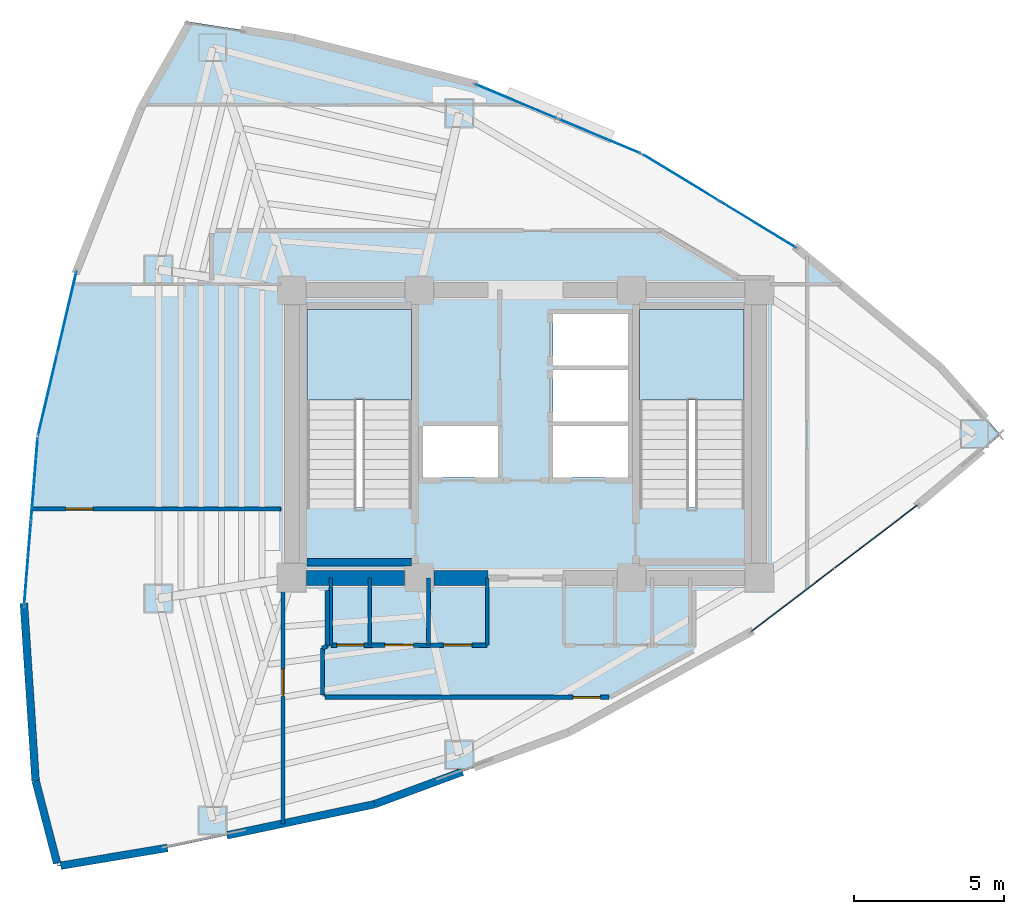
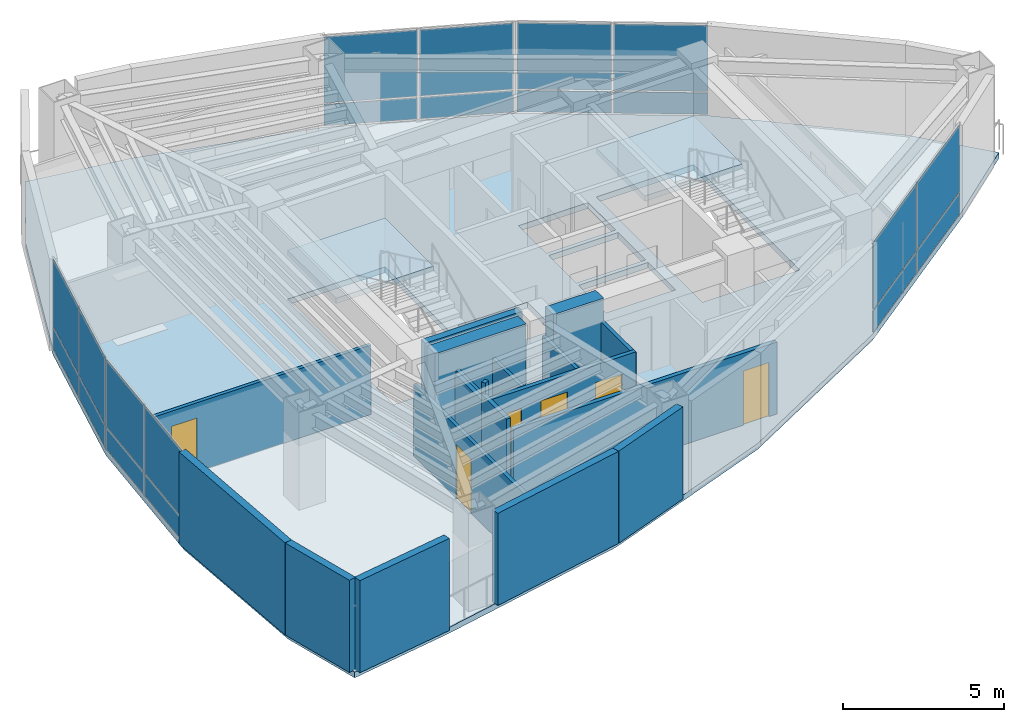
# One storey, part 11 of 15: 20 plates, 19 walls, 6 doors, 3 slabs, 6 openings, 7 elements without a shape of their own.
"""IFC4 building model written with IfcOpenShell, lengths in metres."""

from ifc_helpers import new_model, si_unit, direction, frame, frame_2d, origin, origin_2d, place, context, subcontext, project, spatial, polyline, rectangle, outline, extrude, material, layer, layer_set, type_object, element, fill, aggregate, save


model = new_model("IFC4")

# Units and contexts
model_context = context("Model", 3, precision=1e-05, world=origin(), true_north=direction((0.0, 1.0)))
body_context = subcontext(model_context, "Body", "Model", "MODEL_VIEW")
ifc_project = project(units=[si_unit("LENGTHUNIT", "METRE"), si_unit("AREAUNIT", "SQUARE_METRE"), si_unit("VOLUMEUNIT", "CUBIC_METRE"), si_unit("PLANEANGLEUNIT", "RADIAN"), si_unit("MASSUNIT", "GRAM", prefix="KILO")], contexts=[model_context])

# Site, building, storey
site_placement = place(None, origin())
site = spatial("IfcSite", under=ifc_project, at=site_placement, CompositionType="ELEMENT")
building_placement = place(site_placement, origin())
building = spatial("IfcBuilding", under=site, at=building_placement, Name="Menara Vayukalpa", CompositionType="ELEMENT")
storey_placement = place(building_placement, frame((0.0, 0.0, 180.360107421875)))
storey = spatial("IfcBuildingStorey", under=building, at=storey_placement, Name="L45", CompositionType="ELEMENT", Elevation=180.360107421875)

# Curtain wall, plates
ifc_material_1 = material(Name="Anodised Terracotta Aluminium Alloy 6063-T6", Category="masonry")
ifc_layer_1 = layer(ifc_material_1, 0.139892578125)
ifc_layer_set_1 = layer_set([ifc_layer_1], Name="Anodised Terracotta Aluminium Alloy 6063-T6")
curtain_wall_type = type_object("IfcCurtainWallType", Name="CW-CW5", PredefinedType="USERDEFINED", material=ifc_layer_set_1)
curtain_wall_1_placement = place(storey_placement, origin())
curtain_wall_1 = element("IfcCurtainWall", 1, at=curtain_wall_1_placement, inside=storey, type_object=curtain_wall_type, Name="L45 High Rise Tapered Curtain Wall CW5 04", ObjectType="UNITISED", PredefinedType="USERDEFINED")
ifc_material_2 = material(Name="Low-E Double Glazing", Category="glass")
ifc_layer_2 = layer(ifc_material_2, 0.028076171875)
ifc_layer_set_2 = layer_set([ifc_layer_2], Name="Low-E Double Glazing")
plate_type = type_object("IfcPlateType", Name="CWP-CW5", PredefinedType="CURTAIN_PANEL", material=ifc_layer_set_2)
plate_1_placement = place(storey_placement, frame((33.358642578125, 28.994384765625, 0.059814453125), z_axis=(0.0, 0.0, 1.0), x_axis=(-0.854664974832, 0.519179911779, 0.0)))
plate_1 = element("IfcPlate", 2, at=plate_1_placement, type_object=plate_type, Name="CW5 panel 1.1", PredefinedType="CURTAIN_PANEL", context=body_context, shape_type="SweptSolid", body=[
    extrude(rectangle(XDim=2.9423828125, YDim=0.028076171875, at=origin_2d()), origin(), (0.0, 0.0, 1.0), 0.81005859375),
])
plate_2_placement = place(storey_placement, frame((33.358642578125, 28.994384765625, 0.9296875), z_axis=(0.0, 0.0, 1.0), x_axis=(-0.854664974832, 0.519179911779, 0.0)))
plate_2 = element("IfcPlate", 3, at=plate_2_placement, type_object=plate_type, Name="CW5 panel 1.2", PredefinedType="CURTAIN_PANEL", context=body_context, shape_type="SweptSolid", body=[
    extrude(rectangle(XDim=2.9423828125, YDim=0.028076171875, at=origin_2d()), origin(), (0.0, 0.0, 1.0), 2.510009765625),
])
plate_3_placement = place(storey_placement, frame((30.79248046875, 30.55322265625, 0.059814453125), z_axis=(0.0, 0.0, 1.0), x_axis=(-0.854664974832, 0.519179911779, 0.0)))
plate_3 = element("IfcPlate", 4, at=plate_3_placement, type_object=plate_type, Name="CW5 panel 2.1", PredefinedType="CURTAIN_PANEL", context=body_context, shape_type="SweptSolid", body=[
    extrude(rectangle(XDim=2.9423828125, YDim=0.028076171875, at=origin_2d()), origin(), (0.0, 0.0, 1.0), 0.81005859375),
])
plate_4_placement = place(storey_placement, frame((30.79248046875, 30.55322265625, 0.9296875), z_axis=(0.0, 0.0, 1.0), x_axis=(-0.854664974832, 0.519179911779, 0.0)))
plate_4 = element("IfcPlate", 5, at=plate_4_placement, type_object=plate_type, Name="CW5 panel 2.2", PredefinedType="CURTAIN_PANEL", context=body_context, shape_type="SweptSolid", body=[
    extrude(rectangle(XDim=2.9423828125, YDim=0.028076171875, at=origin_2d()), origin(), (0.0, 0.0, 1.0), 2.510009765625),
])
aggregate(curtain_wall_1, [plate_1, plate_2, plate_3, plate_4])

curtain_wall_2_placement = place(storey_placement, origin())
curtain_wall_2 = element("IfcCurtainWall", 6, at=curtain_wall_2_placement, inside=storey, type_object=curtain_wall_type, Name="L45 High Rise Tapered Curtain Wall CW5 05", ObjectType="UNITISED", PredefinedType="USERDEFINED")
plate_5_placement = place(storey_placement, frame((28.071044921875, 31.93896484375, 0.059814453125), z_axis=(0.0, 0.0, 1.0), x_axis=(-0.922539431351, 0.385902834406, 0.0)))
plate_5 = element("IfcPlate", 7, at=plate_5_placement, type_object=plate_type, Name="CW5 panel 1.1", PredefinedType="CURTAIN_PANEL", context=body_context, shape_type="SweptSolid", body=[
    extrude(rectangle(XDim=2.9423828125, YDim=0.028076171875, at=origin_2d()), origin(), (0.0, 0.0, 1.0), 0.81005859375),
])
plate_6_placement = place(storey_placement, frame((28.071044921875, 31.93896484375, 0.9296875), z_axis=(0.0, 0.0, 1.0), x_axis=(-0.922539431351, 0.385902834406, 0.0)))
plate_6 = element("IfcPlate", 8, at=plate_6_placement, type_object=plate_type, Name="CW5 panel 1.2", PredefinedType="CURTAIN_PANEL", context=body_context, shape_type="SweptSolid", body=[
    extrude(rectangle(XDim=2.9423828125, YDim=0.028076171875, at=origin_2d()), origin(), (0.0, 0.0, 1.0), 2.510009765625),
])
plate_7_placement = place(storey_placement, frame((25.30126953125, 33.09765625, 0.059814453125), z_axis=(0.0, 0.0, 1.0), x_axis=(-0.922539431351, 0.385902834406, 0.0)))
plate_7 = element("IfcPlate", 9, at=plate_7_placement, type_object=plate_type, Name="CW5 panel 2.1", PredefinedType="CURTAIN_PANEL", context=body_context, shape_type="SweptSolid", body=[
    extrude(rectangle(XDim=2.9423828125, YDim=0.028076171875, at=origin_2d()), origin(), (0.0, 0.0, 1.0), 0.81005859375),
])
plate_8_placement = place(storey_placement, frame((25.30126953125, 33.09765625, 0.9296875), z_axis=(0.0, 0.0, 1.0), x_axis=(-0.922539431351, 0.385902834406, 0.0)))
plate_8 = element("IfcPlate", 10, at=plate_8_placement, type_object=plate_type, Name="CW5 panel 2.2", PredefinedType="CURTAIN_PANEL", context=body_context, shape_type="SweptSolid", body=[
    extrude(rectangle(XDim=2.9423828125, YDim=0.028076171875, at=origin_2d()), origin(), (0.0, 0.0, 1.0), 2.510009765625),
])
aggregate(curtain_wall_2, [plate_5, plate_6, plate_7, plate_8])

curtain_wall_3_placement = place(storey_placement, origin())
curtain_wall_3 = element("IfcCurtainWall", 11, at=curtain_wall_3_placement, inside=storey, type_object=curtain_wall_type, Name="L45 High Rise Tapered Curtain Wall CW5 10", ObjectType="UNITISED", PredefinedType="USERDEFINED")
plate_9_placement = place(storey_placement, frame((10.291015625, 26.061279296875, 0.059814453125), z_axis=(0.0, 0.0, 1.0), x_axis=(-0.228148946052, -0.973626241643, 0.0)))
plate_9 = element("IfcPlate", 12, at=plate_9_placement, type_object=plate_type, Name="CW5 panel 1.1", PredefinedType="CURTAIN_PANEL", context=body_context, shape_type="SweptSolid", body=[
    extrude(rectangle(XDim=2.758544921875, YDim=0.028076171875, at=origin_2d()), origin(), (0.0, 0.0, 1.0), 0.81005859375),
])
plate_10_placement = place(storey_placement, frame((10.291015625, 26.061279296875, 0.9296875), z_axis=(0.0, 0.0, 1.0), x_axis=(-0.228148946052, -0.973626241643, 0.0)))
plate_10 = element("IfcPlate", 13, at=plate_10_placement, type_object=plate_type, Name="CW5 panel 1.2", PredefinedType="CURTAIN_PANEL", context=body_context, shape_type="SweptSolid", body=[
    extrude(rectangle(XDim=2.758544921875, YDim=0.028076171875, at=origin_2d()), origin(), (0.0, 0.0, 1.0), 2.510009765625),
])
plate_11_placement = place(storey_placement, frame((9.64794921875, 23.317138671875, 0.059814453125), z_axis=(0.0, 0.0, 1.0), x_axis=(-0.228148946052, -0.973626241643, 0.0)))
plate_11 = element("IfcPlate", 14, at=plate_11_placement, type_object=plate_type, Name="CW5 panel 2.1", PredefinedType="CURTAIN_PANEL", context=body_context, shape_type="SweptSolid", body=[
    extrude(rectangle(XDim=2.758544921875, YDim=0.028076171875, at=origin_2d()), origin(), (0.0, 0.0, 1.0), 0.81005859375),
])
plate_12_placement = place(storey_placement, frame((9.64794921875, 23.317138671875, 0.9296875), z_axis=(0.0, 0.0, 1.0), x_axis=(-0.228148946052, -0.973626241643, 0.0)))
plate_12 = element("IfcPlate", 15, at=plate_12_placement, type_object=plate_type, Name="CW5 panel 2.2", PredefinedType="CURTAIN_PANEL", context=body_context, shape_type="SweptSolid", body=[
    extrude(rectangle(XDim=2.758544921875, YDim=0.028076171875, at=origin_2d()), origin(), (0.0, 0.0, 1.0), 2.510009765625),
])
aggregate(curtain_wall_3, [plate_9, plate_10, plate_11, plate_12])

curtain_wall_4_placement = place(storey_placement, origin())
curtain_wall_4 = element("IfcCurtainWall", 16, at=curtain_wall_4_placement, inside=storey, type_object=curtain_wall_type, Name="L45 High Rise Tapered Curtain Wall CW5 11", ObjectType="UNITISED", PredefinedType="USERDEFINED")
plate_13_placement = place(storey_placement, frame((9.203857421875, 20.48095703125, 0.059814453125), z_axis=(0.0, 0.0, 1.0), x_axis=(-0.080373782609, -0.996764794256, 0.0)))
plate_13 = element("IfcPlate", 17, at=plate_13_placement, type_object=plate_type, Name="CW5 panel 1.1", PredefinedType="CURTAIN_PANEL", context=body_context, shape_type="SweptSolid", body=[
    extrude(rectangle(XDim=2.758544921875, YDim=0.028076171875, at=origin_2d()), origin(), (0.0, 0.0, 1.0), 0.81005859375),
])
plate_14_placement = place(storey_placement, frame((9.203857421875, 20.48095703125, 0.9296875), z_axis=(0.0, 0.0, 1.0), x_axis=(-0.080373782609, -0.996764794256, 0.0)))
plate_14 = element("IfcPlate", 18, at=plate_14_placement, type_object=plate_type, Name="CW5 panel 1.2", PredefinedType="CURTAIN_PANEL", context=body_context, shape_type="SweptSolid", body=[
    extrude(rectangle(XDim=2.758544921875, YDim=0.028076171875, at=origin_2d()), origin(), (0.0, 0.0, 1.0), 2.510009765625),
])
plate_15_placement = place(storey_placement, frame((8.977294921875, 17.671630859375, 0.059814453125), z_axis=(0.0, 0.0, 1.0), x_axis=(-0.080373782609, -0.996764794256, 0.0)))
plate_15 = element("IfcPlate", 19, at=plate_15_placement, type_object=plate_type, Name="CW5 panel 2.1", PredefinedType="CURTAIN_PANEL", context=body_context, shape_type="SweptSolid", body=[
    extrude(rectangle(XDim=2.758544921875, YDim=0.028076171875, at=origin_2d()), origin(), (0.0, 0.0, 1.0), 0.81005859375),
])
plate_16_placement = place(storey_placement, frame((8.977294921875, 17.671630859375, 0.9296875), z_axis=(0.0, 0.0, 1.0), x_axis=(-0.080373782609, -0.996764794256, 0.0)))
plate_16 = element("IfcPlate", 20, at=plate_16_placement, type_object=plate_type, Name="CW5 panel 2.2", PredefinedType="CURTAIN_PANEL", context=body_context, shape_type="SweptSolid", body=[
    extrude(rectangle(XDim=2.758544921875, YDim=0.028076171875, at=origin_2d()), origin(), (0.0, 0.0, 1.0), 2.510009765625),
])
aggregate(curtain_wall_4, [plate_13, plate_14, plate_15, plate_16])

curtain_wall_5_placement = place(storey_placement, origin())
curtain_wall_5 = element("IfcCurtainWall", 21, at=curtain_wall_5_placement, inside=storey, type_object=curtain_wall_type, Name="L45 High Rise Tapered Curtain Wall CW5 19", ObjectType="UNITISED", PredefinedType="USERDEFINED")
plate_17_placement = place(storey_placement, frame((34.515869140625, 16.457275390625, 0.059814453125), z_axis=(0.0, 0.0, 1.0), x_axis=(0.795814608589, 0.60554034445, 0.0)))
plate_17 = element("IfcPlate", 22, at=plate_17_placement, type_object=plate_type, Name="CW5 panel 1.1", PredefinedType="CURTAIN_PANEL", context=body_context, shape_type="SweptSolid", body=[
    extrude(rectangle(XDim=3.44287109375, YDim=0.028076171875, at=origin_2d()), origin(), (0.0, 0.0, 1.0), 0.81005859375),
])
plate_18_placement = place(storey_placement, frame((34.515869140625, 16.457275390625, 0.9296875), z_axis=(0.0, 0.0, 1.0), x_axis=(0.795814608589, 0.60554034445, 0.0)))
plate_18 = element("IfcPlate", 23, at=plate_18_placement, type_object=plate_type, Name="CW5 panel 1.2", PredefinedType="CURTAIN_PANEL", context=body_context, shape_type="SweptSolid", body=[
    extrude(rectangle(XDim=3.44287109375, YDim=0.028076171875, at=origin_2d()), origin(), (0.0, 0.0, 1.0), 2.510009765625),
])
plate_19_placement = place(storey_placement, frame((37.303466796875, 18.578369140625, 0.059814453125), z_axis=(0.0, 0.0, 1.0), x_axis=(0.795814608589, 0.60554034445, 0.0)))
plate_19 = element("IfcPlate", 24, at=plate_19_placement, type_object=plate_type, Name="CW5 panel 2.1", PredefinedType="CURTAIN_PANEL", context=body_context, shape_type="SweptSolid", body=[
    extrude(rectangle(XDim=3.44287109375, YDim=0.028076171875, at=origin_2d()), origin(), (0.0, 0.0, 1.0), 0.81005859375),
])
plate_20_placement = place(storey_placement, frame((37.303466796875, 18.578369140625, 0.9296875), z_axis=(0.0, 0.0, 1.0), x_axis=(0.795814608589, 0.60554034445, 0.0)))
plate_20 = element("IfcPlate", 25, at=plate_20_placement, type_object=plate_type, Name="CW5 panel 2.2", PredefinedType="CURTAIN_PANEL", context=body_context, shape_type="SweptSolid", body=[
    extrude(rectangle(XDim=3.44287109375, YDim=0.028076171875, at=origin_2d()), origin(), (0.0, 0.0, 1.0), 2.510009765625),
])
aggregate(curtain_wall_5, [plate_17, plate_18, plate_19, plate_20])

# Slab
ifc_material_3 = material(Name="Concrete C40/50", Category="concrete")
ifc_layer_3 = layer(ifc_material_3, 0.219970703125)
ifc_layer_set_3 = layer_set([ifc_layer_3], Name="Concrete C40/50")
slab_type_1 = type_object("IfcSlabType", Name="SLB-FL220", PredefinedType="FLOOR", material=ifc_layer_set_3)
slab_1_placement = place(storey_placement, frame((0.0, 0.0, -0.22021484375)))
element("IfcSlab", 26, at=slab_1_placement, inside=storey, type_object=slab_type_1, Name="L45 Structural Floor Slab", PredefinedType="FLOOR", context=body_context, shape_type="SweptSolid", body=[
    extrude(outline(polyline([(38.72119140625, 19.656982421875), (41.4609375, 21.974853515625), (39.439208984375, 24.2421875), (34.667236328125, 28.19921875), (29.48388671875, 31.34814453125), (23.888671875, 33.688720703125), (17.881591796875, 35.220703125), (14.400390625, 35.755859375), (12.76123046875, 32.877685546875), (10.619384765625, 27.462646484375), (9.319580078125, 21.915771484375), (8.86181640625, 16.237060546875), (9.24560546875, 10.426513671875), (9.9873046875, 7.573486328125), (13.648193359375, 8.184326171875), (20.56201171875, 9.64208984375), (27.045166015625, 12.040283203125), (33.098388671875, 15.37841796875), (38.72119140625, 19.656982421875)]), holes=[polyline([(21.800048828125, 19.550048828125), (21.800048828125, 26.14990234375), (18.300048828125, 26.14990234375), (18.300048828125, 19.550048828125), (21.800048828125, 19.550048828125)]), polyline([(32.89990234375, 19.550048828125), (32.89990234375, 26.14990234375), (29.39990234375, 26.14990234375), (29.39990234375, 19.550048828125), (32.89990234375, 19.550048828125)]), polyline([(22.179931640625, 20.550048828125), (24.679931640625, 20.550048828125), (24.679931640625, 22.27001953125), (22.179931640625, 22.27001953125), (22.179931640625, 20.550048828125)]), polyline([(26.52001953125, 20.550048828125), (29.02001953125, 20.550048828125), (29.02001953125, 22.27001953125), (26.52001953125, 22.27001953125), (26.52001953125, 20.550048828125)]), polyline([(26.52001953125, 24.2900390625), (29.02001953125, 24.2900390625), (29.02001953125, 26.010009765625), (26.52001953125, 26.010009765625), (26.52001953125, 24.2900390625)]), polyline([(26.52001953125, 22.419921875), (29.02001953125, 22.419921875), (29.02001953125, 24.139892578125), (26.52001953125, 24.139892578125), (26.52001953125, 22.419921875)])]), origin(), (0.0, 0.0, 1.0), 0.22021484375),
])

# Stair, slab
ifc_material_4 = material(Name="Precast Concrete C40/50", Category="concrete")
stair_type = type_object("IfcStairType", Name="STR-T04", PredefinedType="DOUBLE_RETURN_STAIR", material=ifc_material_4)
stair_1_placement = place(storey_placement, origin())
stair_1 = element("IfcStair", 27, at=stair_1_placement, inside=storey, type_object=stair_type, Name="L45 Core Exit Stair ST-1", PredefinedType="DOUBLE_RETURN_STAIR")
ifc_material_5 = material(Name="Precast Concrete C40/50", Category="concrete")
ifc_layer_4 = layer(ifc_material_5, 0.199951171875)
ifc_layer_set_4 = layer_set([ifc_layer_4], Name="Precast Concrete C40/50")
slab_type_2 = type_object("IfcSlabType", Name="SLB-LND200", PredefinedType="LANDING", material=ifc_layer_set_4)
slab_2_placement = place(storey_placement, frame((0.0, 0.0, 1.659912109375)))
slab_2 = element("IfcSlab", 28, at=slab_2_placement, type_object=slab_type_2, Name="ST-1 landing 1", PredefinedType="LANDING", context=body_context, shape_type="SweptSolid", body=[
    extrude(outline(polyline([(21.800048828125, 23.1298828125), (21.800048828125, 26.14990234375), (18.300048828125, 26.14990234375), (18.300048828125, 23.1298828125), (21.800048828125, 23.1298828125)])), origin(), (0.0, 0.0, 1.0), 0.199951171875),
])
aggregate(stair_1, [slab_2])

stair_2_placement = place(storey_placement, origin())
stair_2 = element("IfcStair", 29, at=stair_2_placement, inside=storey, type_object=stair_type, Name="L45 Core Exit Stair ST-2", PredefinedType="DOUBLE_RETURN_STAIR")
slab_3_placement = place(storey_placement, frame((0.0, 0.0, 1.659912109375)))
slab_3 = element("IfcSlab", 30, at=slab_3_placement, type_object=slab_type_2, Name="ST-2 landing 1", PredefinedType="LANDING", context=body_context, shape_type="SweptSolid", body=[
    extrude(outline(polyline([(32.89990234375, 23.1298828125), (32.89990234375, 26.14990234375), (29.39990234375, 26.14990234375), (29.39990234375, 23.1298828125), (32.89990234375, 23.1298828125)])), origin(), (0.0, 0.0, 1.0), 0.199951171875),
])
aggregate(stair_2, [slab_3])

# Walls
ifc_material_6 = material(Name="Concrete C60/75", Category="concrete")
ifc_layer_5 = layer(ifc_material_6, 0.5)
ifc_layer_set_5 = layer_set([ifc_layer_5], Name="Concrete C60/75")
wall_type_1 = type_object("IfcWallType", Name="WAL-CW500", PredefinedType="SHEAR", material=ifc_layer_set_5)
wall_1_placement = place(storey_placement, frame((18.294921875, 17.199951171875, 0.0), z_axis=(0.0, 0.0, 1.0), x_axis=(1.0, 0.0, 0.0)))
element("IfcWall", 31, at=wall_1_placement, inside=storey, type_object=wall_type_1, Name="L45 Buttressed Core Shear Wall CWS1", PredefinedType="SHEAR", context=body_context, shape_type="SweptSolid", body=[
    extrude(rectangle(XDim=3.260009765625, YDim=0.5, at=frame_2d((1.6298828125, 0.0))), origin(), (0.0, 0.0, 1.0), 3.5),
])
wall_2_placement = place(storey_placement, frame((22.544921875, 17.199951171875, 0.0), z_axis=(0.0, 0.0, 1.0), x_axis=(1.0, 0.0, 0.0)))
element("IfcWall", 32, at=wall_2_placement, inside=storey, type_object=wall_type_1, Name="L45 Buttressed Core Shear Wall CWS2", PredefinedType="SHEAR", context=body_context, shape_type="SweptSolid", body=[
    extrude(rectangle(XDim=1.80517578125, YDim=0.5, at=frame_2d((0.902587890625, 0.0))), origin(), (0.0, 0.0, 1.0), 3.5),
])
ifc_material_7 = material(Name="Insulated Precast Concrete C40/50", Category="concrete")
ifc_layer_6 = layer(ifc_material_7, 0.260009765625)
ifc_layer_set_6 = layer_set([ifc_layer_6], Name="Insulated Precast Concrete C40/50")
wall_type_2 = type_object("IfcWallType", Name="WAL-EXT260", PredefinedType="PARTITIONING", material=ifc_layer_set_6)
wall_3_placement = place(storey_placement, frame((9.24560546875, 10.427734375, 0.0), z_axis=(0.0, 0.0, 1.0), x_axis=(-0.065934416021, 0.997823958814, 0.0)))
element("IfcWall", 33, at=wall_3_placement, inside=storey, type_object=wall_type_2, Name="L45 Perimeter Terracotta Pier Wall 12", PredefinedType="PARTITIONING", context=body_context, shape_type="SweptSolid", body=[
    extrude(rectangle(XDim=5.931884765625, YDim=0.260009765625, at=frame_2d((2.9658203125, 0.0))), origin(), (0.0, 0.0, 1.0), 3.5),
])
wall_4_placement = place(storey_placement, frame((9.962646484375, 7.6689453125, 0.0), z_axis=(0.0, 0.0, 1.0), x_axis=(-0.251601733001, 0.967830857098, 0.0)))
element("IfcWall", 34, at=wall_4_placement, inside=storey, type_object=wall_type_2, Name="L45 Perimeter Terracotta Pier Wall 13", PredefinedType="PARTITIONING", context=body_context, shape_type="SweptSolid", body=[
    extrude(rectangle(XDim=2.847900390625, YDim=0.260009765625, at=frame_2d((1.423828125, 0.0))), origin(), (0.0, 0.0, 1.0), 3.5),
])
wall_5_placement = place(storey_placement, frame((13.648193359375, 8.184326171875, 0.0), z_axis=(0.0, 0.0, 1.0), x_axis=(-0.986357371246, -0.164618152669, 0.0)))
element("IfcWall", 35, at=wall_5_placement, inside=storey, type_object=wall_type_2, Name="L45 Perimeter Terracotta Pier Wall 14", PredefinedType="PARTITIONING", context=body_context, shape_type="SweptSolid", body=[
    extrude(rectangle(XDim=3.61279296875, YDim=0.260009765625, at=frame_2d((1.806396484375, 0.0))), origin(), (0.0, 0.0, 1.0), 3.5),
])
wall_6_placement = place(storey_placement, frame((20.56201171875, 9.64208984375, 0.0), z_axis=(0.0, 0.0, 1.0), x_axis=(-0.978488082144, -0.206303352137, 0.0)))
element("IfcWall", 36, at=wall_6_placement, inside=storey, type_object=wall_type_2, Name="L45 Perimeter Terracotta Pier Wall 15", PredefinedType="PARTITIONING", context=body_context, shape_type="SweptSolid", body=[
    extrude(rectangle(XDim=5.041259765625, YDim=0.260009765625, at=frame_2d((2.5205078125, 0.0))), origin(), (0.0, 0.0, 1.0), 3.5),
])
wall_7_placement = place(storey_placement, frame((23.494873046875, 10.72705078125, 0.0), z_axis=(0.0, 0.0, 1.0), x_axis=(-0.937882421791, -0.346953257508, 0.0)))
element("IfcWall", 37, at=wall_7_placement, inside=storey, type_object=wall_type_2, Name="L45 Perimeter Terracotta Pier Wall 16", PredefinedType="PARTITIONING", context=body_context, shape_type="SweptSolid", body=[
    extrude(rectangle(XDim=3.127197265625, YDim=0.260009765625, at=frame_2d((1.5634765625, 0.0))), origin(), (0.0, 0.0, 1.0), 3.5),
])
ifc_material_8 = material(Name="Acoustic Mineral Stud Partition", Category="masonry")
ifc_layer_7 = layer(ifc_material_8, 0.110107421875)
ifc_layer_set_7 = layer_set([ifc_layer_7], Name="Acoustic Mineral Stud Partition")
wall_type_3 = type_object("IfcWallType", Name="WAL-PT110", PredefinedType="PARTITIONING", material=ifc_layer_set_7)
wall_8_placement = place(storey_placement, frame((20.39990234375, 14.949951171875, 0.0), z_axis=(0.0, 0.0, 1.0), x_axis=(0.0, 1.0, 0.0)))
element("IfcWall", 38, at=wall_8_placement, inside=storey, type_object=wall_type_3, Name="L45 Interior Partition IW-L45-SVCD-02", PredefinedType="PARTITIONING", context=body_context, shape_type="SweptSolid", body=[
    extrude(rectangle(XDim=2.25, YDim=0.110107421875, at=frame_2d((1.125, 0.0))), origin(), (0.0, 0.0, 1.0), 2.6298828125),
])
ifc_material_9 = material(Name="Gypsum Drywall Steel Stud Assembly", Category="steel")
ifc_layer_8 = layer(ifc_material_9, 0.125)
ifc_layer_set_8 = layer_set([ifc_layer_8], Name="Gypsum Drywall Steel Stud Assembly")
wall_type_4 = type_object("IfcWallType", Name="WAL-PT125", PredefinedType="PARTITIONING", material=ifc_layer_set_8)
for number, where, z_axis, x_axis, name in (
    (39, (19.10009765625, 14.949951171875, 0.0), (0.0, 0.0, 1.0), (0.0, 1.0, 0.0), "L45 Interior Partition IW-L45-SVCD-01"),
    (40, (22.360107421875, 14.949951171875, 0.0), (0.0, 0.0, 1.0), (0.0, 1.0, 0.0), "L45 Interior Partition IW-L45-SVCD-03"),
    (41, (24.320068359375, 14.949951171875, 0.0), (0.0, 0.0, 1.0), (0.0, 1.0, 0.0), "L45 Interior Partition IW-L45-SVCD-04"),
):
    element("IfcWall", number, at=place(storey_placement, frame(where, z_axis=z_axis, x_axis=x_axis)), inside=storey, type_object=wall_type_4, Name=name, PredefinedType="PARTITIONING", context=body_context, shape_type="SweptSolid", body=[
        extrude(rectangle(XDim=2.25, YDim=0.125, at=frame_2d((1.125, 0.0))), origin(), (0.0, 0.0, 1.0), 2.6298828125),
    ])

# Wall, opening, door
wall_9_placement = place(storey_placement, frame((17.5, 8.986328125, 0.0), z_axis=(0.0, 0.0, 1.0), x_axis=(0.0, 1.0, 0.0)))
wall_9 = element("IfcWall", 42, at=wall_9_placement, inside=storey, type_object=wall_type_4, Name="L45 Interior Partition IW-L45-RDIV01", PredefinedType="PARTITIONING", context=body_context, shape_type="SweptSolid", body=[
    extrude(rectangle(XDim=7.84375, YDim=0.125, at=frame_2d((3.921875, 0.0))), origin(), (0.0, 0.0, 1.0), 2.72998046875),
])
opening_1_placement = place(wall_9_placement, frame((4.25732421875, 0.0, 0.0)))
opening_1 = element("IfcOpeningElement", 43, at=opening_1_placement, cuts=wall_9, Name="Opening ID6", PredefinedType="OPENING", context=body_context, shape_type="SweptSolid", body=[
    extrude(rectangle(XDim=0.919921875, YDim=2.050048828125, at=frame_2d((0.4599609375, 1.02490234375))), frame((0.0, 0.072509765625, 0.0), z_axis=(0.0, -1.0, 0.0), x_axis=(1.0, 0.0, 0.0)), (0.0, 0.0, 1.0), 0.14501953125),
])
ifc_material_10 = material(Name="Acoustic Hardwood Veneer Timber Door", Category="wood")
door_type_1 = type_object("IfcDoorType", Name="DR-INT92", OperationType="NOTDEFINED", PredefinedType="DOOR", material=ifc_material_10)
door_1_placement = place(opening_1_placement, origin())
door_1 = element("IfcDoor", 44, at=door_1_placement, inside=storey, type_object=door_type_1, Name="L45 Interior Door DR-L45-STE01", OperationType="SINGLE_SWING_RIGHT", OverallHeight=2.050048828125, OverallWidth=0.919921875, PredefinedType="DOOR", context=body_context, shape_type="SweptSolid", body=[
    extrude(rectangle(XDim=0.919921875, YDim=2.050048828125, at=frame_2d((0.4599609375, 1.02490234375))), frame((0.0, 0.02490234375, 0.0), z_axis=(0.0, -1.0, 0.0), x_axis=(1.0, 0.0, 0.0)), (0.0, 0.0, 1.0), 0.050048828125),
])
fill(opening_1, door_1)

wall_10_placement = place(storey_placement, frame((9.11474609375, 19.5, 0.0), z_axis=(0.0, 0.0, 1.0), x_axis=(1.0, 0.0, 0.0)))
wall_10 = element("IfcWall", 45, at=wall_10_placement, inside=storey, type_object=wall_type_4, Name="L45 Interior Partition IW-L45-RDIV03", PredefinedType="PARTITIONING", context=body_context, shape_type="SweptSolid", body=[
    extrude(rectangle(XDim=8.315185546875, YDim=0.125, at=frame_2d((4.15771484375, 0.0))), origin(), (0.0, 0.0, 1.0), 2.6298828125),
])
opening_2_placement = place(wall_10_placement, frame((1.134521484375, 0.0, 0.0)))
opening_2 = element("IfcOpeningElement", 46, at=opening_2_placement, cuts=wall_10, Name="Opening ID6", PredefinedType="OPENING", context=body_context, shape_type="SweptSolid", body=[
    extrude(rectangle(XDim=0.919921875, YDim=2.050048828125, at=frame_2d((0.4599609375, 1.02490234375))), frame((0.0, 0.072509765625, 0.0), z_axis=(0.0, -1.0, 0.0), x_axis=(1.0, 0.0, 0.0)), (0.0, 0.0, 1.0), 0.14501953125),
])
door_2_placement = place(opening_2_placement, origin())
door_2 = element("IfcDoor", 47, at=door_2_placement, inside=storey, type_object=door_type_1, Name="L45 Interior Door DR-L45-STE06", OperationType="SINGLE_SWING_RIGHT", OverallHeight=2.050048828125, OverallWidth=0.919921875, PredefinedType="DOOR", context=body_context, shape_type="SweptSolid", body=[
    extrude(rectangle(XDim=0.919921875, YDim=2.050048828125, at=frame_2d((0.4599609375, 1.02490234375))), frame((0.0, 0.02490234375, 0.0), z_axis=(0.0, -1.0, 0.0), x_axis=(1.0, 0.0, 0.0)), (0.0, 0.0, 1.0), 0.050048828125),
])
fill(opening_2, door_2)

# Wall, openings, doors
ifc_material_11 = material(Name="Gypsum Drywall Acoustic Stud Assembly", Category="masonry")
ifc_layer_9 = layer(ifc_material_11, 0.14501953125)
ifc_layer_set_9 = layer_set([ifc_layer_9], Name="Gypsum Drywall Acoustic Stud Assembly")
wall_type_5 = type_object("IfcWallType", Name="WAL-PT150", PredefinedType="PARTITIONING", material=ifc_layer_set_9)
wall_11_placement = place(storey_placement, frame((19.10009765625, 14.949951171875, 0.0), z_axis=(0.0, 0.0, 1.0), x_axis=(1.0, 0.0, 0.0)))
wall_11 = element("IfcWall", 48, at=wall_11_placement, inside=storey, type_object=wall_type_5, Name="L45 Interior Partition IW-L45-SVCS-W", PredefinedType="PARTITIONING", context=body_context, shape_type="SweptSolid", body=[
    extrude(rectangle(XDim=5.219970703125, YDim=0.14501953125, at=frame_2d((2.60986328125, 0.0))), origin(), (0.0, 0.0, 1.0), 2.72998046875),
])
opening_3_placement = place(wall_11_placement, frame((0.199951171875, 0.0, 0.0)))
opening_3 = element("IfcOpeningElement", 49, at=opening_3_placement, cuts=wall_11, Name="Opening ID7", PredefinedType="OPENING", context=body_context, shape_type="SweptSolid", body=[
    extrude(rectangle(XDim=0.89990234375, YDim=2.02001953125, at=frame_2d((0.449951171875, 1.010009765625))), frame((0.0, 0.08251953125, 0.0), z_axis=(0.0, -1.0, 0.0), x_axis=(1.0, 0.0, 0.0)), (0.0, 0.0, 1.0), 0.1650390625),
])
opening_4_placement = place(wall_11_placement, frame((1.804931640625, 0.0, 0.0)))
opening_4 = element("IfcOpeningElement", 50, at=opening_4_placement, cuts=wall_11, Name="Opening ID5", PredefinedType="OPENING", context=body_context, shape_type="SweptSolid", body=[
    extrude(rectangle(XDim=0.949951171875, YDim=2.06005859375, at=frame_2d((0.47509765625, 1.030029296875))), frame((0.0, 0.08251953125, 0.0), z_axis=(0.0, -1.0, 0.0), x_axis=(1.0, 0.0, 0.0)), (0.0, 0.0, 1.0), 0.1650390625),
])
opening_5_placement = place(wall_11_placement, frame((3.764892578125, 0.0, 0.0)))
opening_5 = element("IfcOpeningElement", 51, at=opening_5_placement, cuts=wall_11, Name="Opening ID5", PredefinedType="OPENING", context=body_context, shape_type="SweptSolid", body=[
    extrude(rectangle(XDim=0.949951171875, YDim=2.06005859375, at=frame_2d((0.47509765625, 1.030029296875))), frame((0.0, 0.08251953125, 0.0), z_axis=(0.0, -1.0, 0.0), x_axis=(1.0, 0.0, 0.0)), (0.0, 0.0, 1.0), 0.1650390625),
])
ifc_material_12 = material(Name="Acoustic Hardwood Veneer Timber Door", Category="wood")
door_type_2 = type_object("IfcDoorType", Name="DR-INT95", OperationType="NOTDEFINED", PredefinedType="DOOR", material=ifc_material_12)
door_3_placement = place(opening_4_placement, origin())
door_3 = element("IfcDoor", 52, at=door_3_placement, inside=storey, type_object=door_type_2, Name="L45 Interior Door DR-L45-AWC", OperationType="SINGLE_SWING_LEFT", OverallHeight=2.06005859375, OverallWidth=0.949951171875, PredefinedType="DOOR", context=body_context, shape_type="SweptSolid", body=[
    extrude(rectangle(XDim=0.949951171875, YDim=2.06005859375, at=frame_2d((0.47509765625, 1.030029296875))), frame((0.0, 0.02490234375, 0.0), z_axis=(0.0, -1.0, 0.0), x_axis=(1.0, 0.0, 0.0)), (0.0, 0.0, 1.0), 0.050048828125),
])
fill(opening_4, door_3)
door_4_placement = place(opening_5_placement, origin())
door_4 = element("IfcDoor", 53, at=door_4_placement, inside=storey, type_object=door_type_2, Name="L45 Interior Door DR-L45-SWC", OperationType="SINGLE_SWING_RIGHT", OverallHeight=2.06005859375, OverallWidth=0.949951171875, PredefinedType="DOOR", context=body_context, shape_type="SweptSolid", body=[
    extrude(rectangle(XDim=0.949951171875, YDim=2.06005859375, at=frame_2d((0.47509765625, 1.030029296875))), frame((0.0, 0.02490234375, 0.0), z_axis=(0.0, -1.0, 0.0), x_axis=(1.0, 0.0, 0.0)), (0.0, 0.0, 1.0), 0.050048828125),
])
fill(opening_5, door_4)
ifc_material_13 = material(Name="Powder-Coated Steel Riser Access Door", Category="steel")
door_type_3 = type_object("IfcDoorType", Name="DR-RISER", OperationType="NOTDEFINED", PredefinedType="DOOR", material=ifc_material_13)
door_5_placement = place(opening_3_placement, origin())
door_5 = element("IfcDoor", 54, at=door_5_placement, inside=storey, type_object=door_type_3, Name="L45 Interior Door DR-L45-ELR", OperationType="SINGLE_SWING_RIGHT", OverallHeight=2.02001953125, OverallWidth=0.89990234375, PredefinedType="DOOR", context=body_context, shape_type="SweptSolid", body=[
    extrude(rectangle(XDim=0.89990234375, YDim=2.02001953125, at=frame_2d((0.449951171875, 1.010009765625))), frame((0.0, 0.02490234375, 0.0), z_axis=(0.0, -1.0, 0.0), x_axis=(1.0, 0.0, 0.0)), (0.0, 0.0, 1.0), 0.050048828125),
])
fill(opening_3, door_5)

# Walls
wall_12_placement = place(storey_placement, frame((18.97998046875, 16.780029296875, 0.0), z_axis=(0.0, 0.0, 1.0), x_axis=(0.0, -1.0, 0.0)))
element("IfcWall", 55, at=wall_12_placement, inside=storey, type_object=wall_type_5, Name="L45 Interior Partition IW-L45-CRM02-1", PredefinedType="PARTITIONING", context=body_context, shape_type="SweptSolid", body=[
    extrude(rectangle(XDim=1.85009765625, YDim=0.14501953125, at=frame_2d((0.925048828125, 0.0))), origin(), (0.0, 0.0, 1.0), 2.6298828125),
])
wall_13_placement = place(storey_placement, frame((18.820068359375, 14.85009765625, 0.0), z_axis=(0.0, 0.0, 1.0), x_axis=(0.0, -1.0, 0.0)))
element("IfcWall", 56, at=wall_13_placement, inside=storey, type_object=wall_type_5, Name="L45 Interior Partition IW-L45-CRM02-2", PredefinedType="PARTITIONING", context=body_context, shape_type="SweptSolid", body=[
    extrude(rectangle(XDim=1.56005859375, YDim=0.14501953125, at=frame_2d((0.780029296875, 0.0))), origin(), (0.0, 0.0, 1.0), 3.079833984375),
])

# Wall, opening, door
wall_14_placement = place(storey_placement, frame((18.89990234375, 13.2099609375, 0.0), z_axis=(0.0, 0.0, 1.0), x_axis=(1.0, 0.0, 0.0)))
wall_14 = element("IfcWall", 57, at=wall_14_placement, inside=storey, type_object=wall_type_5, Name="L45 Interior Partition IW-L45-CRM02-3", PredefinedType="PARTITIONING", context=body_context, shape_type="SweptSolid", body=[
    extrude(rectangle(XDim=9.4794921875, YDim=0.14501953125, at=frame_2d((4.73974609375, 0.0))), origin(), (0.0, 0.0, 1.0), 2.72998046875),
])
opening_6_placement = place(wall_14_placement, frame((8.279296875, 0.0, 0.0)))
opening_6 = element("IfcOpeningElement", 58, at=opening_6_placement, cuts=wall_14, Name="Opening ID6", PredefinedType="OPENING", context=body_context, shape_type="SweptSolid", body=[
    extrude(rectangle(XDim=0.919921875, YDim=2.050048828125, at=frame_2d((0.4599609375, 1.02490234375))), frame((0.0, 0.08251953125, 0.0), z_axis=(0.0, -1.0, 0.0), x_axis=(1.0, 0.0, 0.0)), (0.0, 0.0, 1.0), 0.1650390625),
])
door_6_placement = place(opening_6_placement, origin())
door_6 = element("IfcDoor", 59, at=door_6_placement, inside=storey, type_object=door_type_1, Name="L45 Interior Door DR-L45-RM02", OperationType="SINGLE_SWING_RIGHT", OverallHeight=2.050048828125, OverallWidth=0.919921875, PredefinedType="DOOR", context=body_context, shape_type="SweptSolid", body=[
    extrude(rectangle(XDim=0.919921875, YDim=2.050048828125, at=frame_2d((0.4599609375, 1.02490234375))), frame((0.0, 0.02490234375, 0.0), z_axis=(0.0, -1.0, 0.0), x_axis=(1.0, 0.0, 0.0)), (0.0, 0.0, 1.0), 0.050048828125),
])
fill(opening_6, door_6)

# Walls
wall_15_placement = place(storey_placement, frame((18.820068359375, 14.85009765625, 0.0), z_axis=(0.0, 0.0, 1.0), x_axis=(0.89470021502, 0.446667130247, 0.0)))
element("IfcWall", 60, at=wall_15_placement, inside=storey, type_object=wall_type_5, Name="L45 Interior Partition IW-L45-CRM02-2-R0", PredefinedType="PARTITIONING", context=body_context, shape_type="SweptSolid", body=[
    extrude(rectangle(XDim=0.1787109375, YDim=0.14501953125, at=frame_2d((0.08935546875, 0.0))), origin(), (0.0, 0.0, 1.0), 3.5),
])
ifc_material_14 = material(Name="Concrete C50/60", Category="concrete")
ifc_layer_10 = layer(ifc_material_14, 0.25)
ifc_layer_set_10 = layer_set([ifc_layer_10], Name="Concrete C50/60")
wall_type_6 = type_object("IfcWallType", Name="WAL-SW250", PredefinedType="SHEAR", material=ifc_layer_set_10)
wall_16_placement = place(storey_placement, frame((18.303955078125, 17.72509765625, 0.0), z_axis=(0.0, 0.0, 1.0), x_axis=(1.0, 0.0, 0.0)))
element("IfcWall", 61, at=wall_16_placement, inside=storey, type_object=wall_type_6, Name="L45 ST1 Structural Stair Shaft Wall S", PredefinedType="SHEAR", context=body_context, shape_type="SweptSolid", body=[
    extrude(rectangle(XDim=3.49609375, YDim=0.25, at=frame_2d((1.748046875, 0.0))), origin(), (0.0, 0.0, 1.0), 3.5),
])

save(model, "model.ifc")
